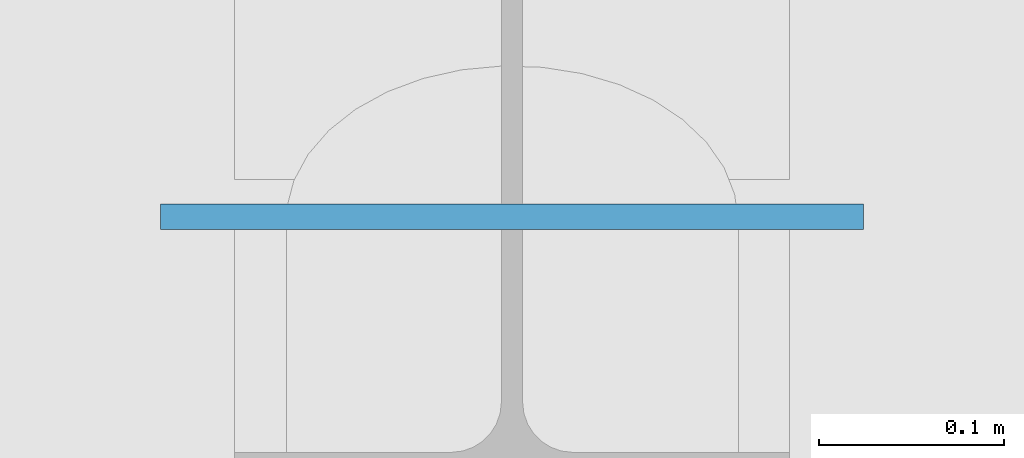
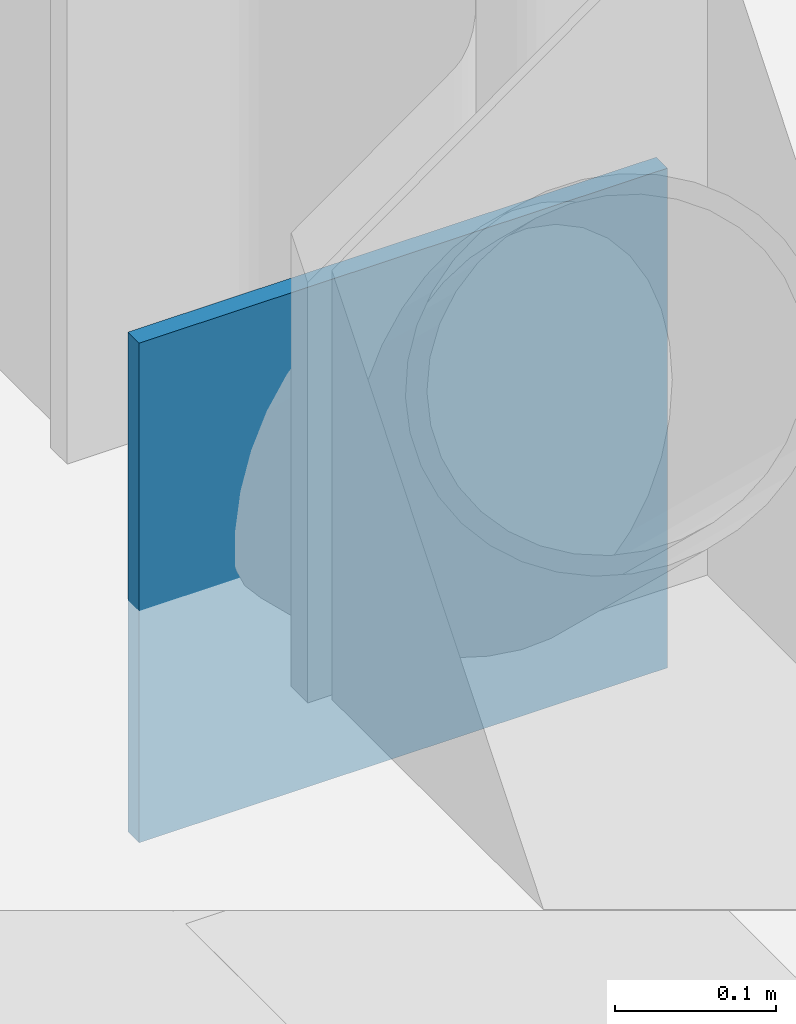
# One storey, part 30 of 44: 1 plate.
"""IFC4 building model written with IfcOpenShell, lengths in metres."""

from ifc_helpers import new_model, si_unit, direction, frame, origin, origin_2d, place, context, subcontext, project, spatial, rectangle, extrude, material, layer, layer_set, type_object, element, save


model = new_model("IFC4")

# Units and contexts
model_context = context("Model", 3, precision=1e-05, world=origin(), true_north=direction((0.0, 1.0)))
body_context = subcontext(model_context, "Body", "Model", "MODEL_VIEW")
ifc_project = project(units=[si_unit("LENGTHUNIT", "METRE"), si_unit("AREAUNIT", "SQUARE_METRE"), si_unit("VOLUMEUNIT", "CUBIC_METRE"), si_unit("PLANEANGLEUNIT", "RADIAN"), si_unit("MASSUNIT", "GRAM", prefix="KILO")], contexts=[model_context])

# Site, building, storey
site_placement = place(None, origin())
site = spatial("IfcSite", under=ifc_project, at=site_placement, CompositionType="ELEMENT")
building_placement = place(site_placement, origin())
building = spatial("IfcBuilding", under=site, at=building_placement, Name="Narikvali Park Central Library", CompositionType="ELEMENT")
storey_placement = place(building_placement, frame((0.0, 0.0, 22.800048828125)))
storey = spatial("IfcBuildingStorey", under=building, at=storey_placement, Name="L05", CompositionType="ELEMENT", Elevation=22.800048828125)

# Plate
ifc_material = material(Name="Steel S355", Category="steel")
ifc_layer = layer(ifc_material, 0.013916015625, Name="Steel S355")
ifc_layer_set = layer_set([ifc_layer], Name="Steel S355")
plate_type = type_object("IfcPlateType", Name="Steel Hollow End Cap Plate 14", PredefinedType="SHEET", material=ifc_layer_set)
plate_placement = place(storey_placement, frame((7.199951171875, 100.787841796875, -0.177734375), z_axis=(0.0, 0.0, 1.0), x_axis=(1.0, 0.0, 0.0)))
element("IfcPlate", 1, at=plate_placement, inside=storey, type_object=plate_type, Name="Hollow Section Steel End Cap BR-ECAP-2-L05-B0", PredefinedType="SHEET", context=body_context, shape_type="SweptSolid", body=[
    extrude(rectangle(XDim=0.3798828125, YDim=0.013916015625, at=origin_2d()), origin(), (0.0, 0.0, 1.0), 0.3798828125),
])

save(model, "model.ifc")
